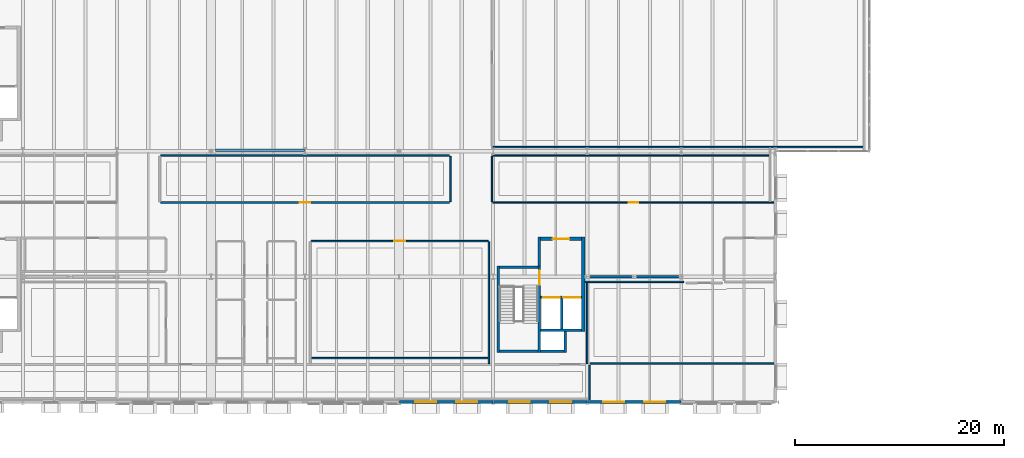
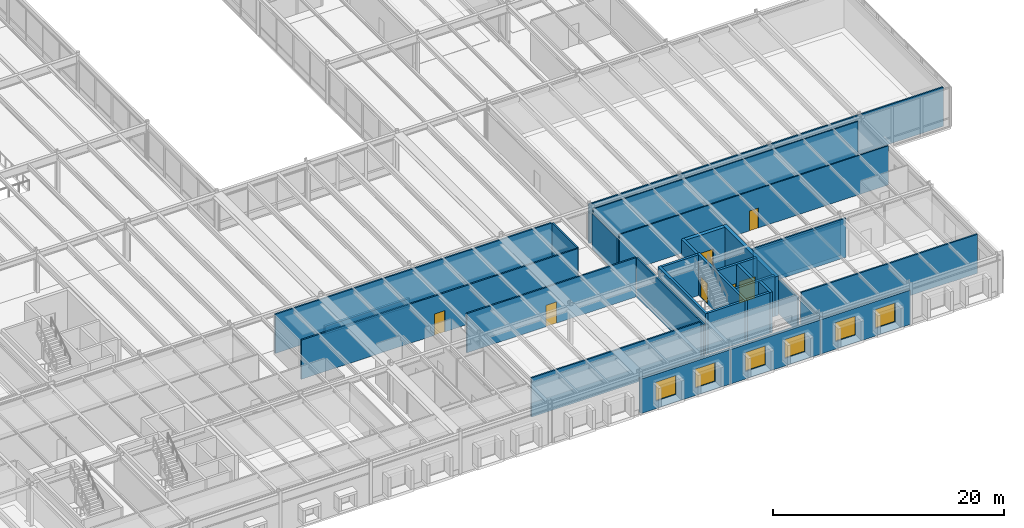
# One storey, part 111 of 127: 31 walls, 7 doors, 6 windows, 13 openings.
"""IFC4 building model written with IfcOpenShell, lengths in metres."""

from ifc_helpers import new_model, si_unit, direction, frame, frame_2d, origin, place, context, subcontext, project, spatial, rectangle, extrude, material, layer, layer_set, type_object, element, fill, save


model = new_model("IFC4")

# Units and contexts
model_context = context("Model", 3, precision=1e-05, world=origin(), true_north=direction((0.0, 1.0)))
body_context = subcontext(model_context, "Body", "Model", "MODEL_VIEW")
ifc_project = project(units=[si_unit("LENGTHUNIT", "METRE"), si_unit("AREAUNIT", "SQUARE_METRE"), si_unit("VOLUMEUNIT", "CUBIC_METRE"), si_unit("PLANEANGLEUNIT", "RADIAN"), si_unit("MASSUNIT", "GRAM", prefix="KILO")], contexts=[model_context])

# Site, building, storey
site_placement = place(None, origin())
site = spatial("IfcSite", under=ifc_project, at=site_placement, CompositionType="ELEMENT")
building_placement = place(site_placement, origin())
building = spatial("IfcBuilding", under=site, at=building_placement, Name="Montelvaro Courts of Justice", CompositionType="ELEMENT")
storey_placement = place(building_placement, frame((0.0, 0.0, 5.39990234375)))
storey = spatial("IfcBuildingStorey", under=building, at=storey_placement, Name="L01", CompositionType="ELEMENT", Elevation=5.39990234375)

# Walls
ifc_material_1 = material(Name="Gypsum board on metal stud")
ifc_layer_1 = layer(ifc_material_1, 0.14990234375)
ifc_layer_set_1 = layer_set([ifc_layer_1], Name="Gypsum board on metal stud")
wall_type_1 = type_object("IfcWallType", Name="ChambersPartition_150", PredefinedType="PARTITIONING", material=ifc_layer_set_1)
wall_1_placement = place(storey_placement, frame((117.199951171875, 3.52001953125, 0.0), z_axis=(0.0, 0.0, 1.0), x_axis=(0.0, -1.0, 0.0)))
element("IfcWall", 1, at=wall_1_placement, inside=storey, type_object=wall_type_1, Name="Interior Partition IW-04 (L01)", PredefinedType="PARTITIONING", context=body_context, shape_type="SweptSolid", body=[
    extrude(rectangle(XDim=3.297119140625, YDim=0.14990234375, at=frame_2d((1.6484375, 0.0))), origin(), (0.0, 0.0, 1.0), 3.68505859375),
])
wall_2_placement = place(storey_placement, frame((143.429931640625, 24.39990234375, 0.0), z_axis=(0.0, 0.0, 1.0), x_axis=(-1.0, 0.0, 0.0)))
element("IfcWall", 2, at=wall_2_placement, inside=storey, type_object=wall_type_1, Name="Interior Partition IW-04 (L01)", PredefinedType="PARTITIONING", context=body_context, shape_type="SweptSolid", body=[
    extrude(rectangle(XDim=35.449951171875, YDim=0.14990234375, at=frame_2d((17.72509765625, 0.0))), origin(), (0.0, 0.0, 1.0), 4.14013671875),
])

# Wall, opening, door
wall_3_placement = place(storey_placement, frame((103.820068359375, 19.10009765625, 0.0), z_axis=(0.0, 0.0, 1.0), x_axis=(-1.0, 0.0, 0.0)))
wall_3 = element("IfcWall", 3, at=wall_3_placement, inside=storey, type_object=wall_type_1, Name="Interior Partition IW-04 (L01)", PredefinedType="PARTITIONING", context=body_context, shape_type="SweptSolid", body=[
    extrude(rectangle(XDim=27.64013671875, YDim=0.14990234375, at=frame_2d((13.820068359375, 0.0))), origin(), (0.0, 0.0, 1.0), 4.14013671875),
])
opening_1_placement = place(wall_3_placement, frame((13.294921875, 0.0, 0.0)))
opening_1 = element("IfcOpeningElement", 4, at=opening_1_placement, cuts=wall_3, Name="Opening D-L01-073", PredefinedType="OPENING", context=body_context, shape_type="SweptSolid", body=[
    extrude(rectangle(XDim=1.050048828125, YDim=2.25, at=frame_2d((0.52490234375, 1.125))), frame((0.0, 0.08984375, 0.0), z_axis=(0.0, -1.0, 0.0), x_axis=(1.0, 0.0, 0.0)), (0.0, 0.0, 1.0), 0.1796875),
])
ifc_material_2 = material(Name="Acoustic oak timber veneer", Category="wood")
door_type_1 = type_object("IfcDoorType", Name="ChamberDoor_105x225", OperationType="NOTDEFINED", PredefinedType="DOOR", material=ifc_material_2)
door_1_placement = place(opening_1_placement, frame((1.050048828125, 0.0, 0.0), z_axis=(0.0, 0.0, 1.0), x_axis=(-1.0, 0.0, 0.0)))
door_1 = element("IfcDoor", 5, at=door_1_placement, inside=storey, type_object=door_type_1, Name="Interior Door D-L01-073 (Judicial Clerks' Office East L01)", OperationType="SINGLE_SWING_RIGHT", OverallHeight=2.25, OverallWidth=1.050048828125, PredefinedType="DOOR", context=body_context, shape_type="SweptSolid", body=[
    extrude(rectangle(XDim=1.050048828125, YDim=2.25, at=frame_2d((0.52490234375, 1.125))), frame((0.0, 0.02490234375, 0.0), z_axis=(0.0, -1.0, 0.0), x_axis=(1.0, 0.0, 0.0)), (0.0, 0.0, 1.0), 0.050048828125),
])
fill(opening_1, door_1)

# Walls
wall_4_placement = place(storey_placement, frame((76.179931640625, 23.60009765625, 0.0), z_axis=(0.0, 0.0, 1.0), x_axis=(1.0, 0.0, 0.0)))
element("IfcWall", 6, at=wall_4_placement, inside=storey, type_object=wall_type_1, Name="Interior Partition IW-04 (L01)", PredefinedType="PARTITIONING", context=body_context, shape_type="SweptSolid", body=[
    extrude(rectangle(XDim=27.64013671875, YDim=0.14990234375, at=frame_2d((13.820068359375, 0.0))), origin(), (0.0, 0.0, 1.0), 4.14013671875),
])
wall_5_placement = place(storey_placement, frame((103.89990234375, 23.52001953125, 0.0), z_axis=(0.0, 0.0, 1.0), x_axis=(0.0, -1.0, 0.0)))
element("IfcWall", 7, at=wall_5_placement, inside=storey, type_object=wall_type_1, Name="Interior Partition IW-04 (L01)", PredefinedType="PARTITIONING", context=body_context, shape_type="SweptSolid", body=[
    extrude(rectangle(XDim=4.340087890625, YDim=0.14990234375, at=frame_2d((2.169921875, 0.0))), origin(), (0.0, 0.0, 1.0), 4.14013671875),
])
wall_6_placement = place(storey_placement, frame((134.85498046875, 3.699951171875, 0.0), z_axis=(0.0, 0.0, 1.0), x_axis=(-1.0, 0.0, 0.0)))
element("IfcWall", 8, at=wall_6_placement, inside=storey, type_object=wall_type_1, Name="Interior Partition IW-04 (L01)", PredefinedType="PARTITIONING", context=body_context, shape_type="SweptSolid", body=[
    extrude(rectangle(XDim=17.574951171875, YDim=0.14990234375, at=frame_2d((8.78759765625, 0.0))), origin(), (0.0, 0.0, 1.0), 4.14013671875),
])
wall_7_placement = place(storey_placement, frame((117.0, 3.669921875, 0.0), z_axis=(0.0, 0.0, 1.0), x_axis=(0.0, 1.0, 0.0)))
element("IfcWall", 9, at=wall_7_placement, inside=storey, type_object=wall_type_1, Name="Interior Partition IW-04 (L01)", PredefinedType="PARTITIONING", context=body_context, shape_type="SweptSolid", body=[
    extrude(rectangle(XDim=7.75, YDim=0.14990234375, at=frame_2d((3.875, 0.0))), origin(), (0.0, 0.0, 1.0), 3.68505859375),
])
wall_8_placement = place(storey_placement, frame((116.794921875, 11.5, 0.0), z_axis=(0.0, 0.0, 1.0), x_axis=(1.0, 0.0, 0.0)))
element("IfcWall", 10, at=wall_8_placement, inside=storey, type_object=wall_type_1, Name="Interior Partition IW-04 (L01)", PredefinedType="PARTITIONING", context=body_context, shape_type="SweptSolid", body=[
    extrude(rectangle(XDim=9.425048828125, YDim=0.14990234375, at=frame_2d((4.71240234375, 0.0))), origin(), (0.0, 0.0, 1.0), 4.14013671875),
])
wall_9_placement = place(storey_placement, frame((107.60009765625, 15.320068359375, 0.0), z_axis=(0.0, 0.0, 1.0), x_axis=(0.0, -1.0, 0.0)))
element("IfcWall", 11, at=wall_9_placement, inside=storey, type_object=wall_type_1, Name="Interior Partition IW-04 (L01)", PredefinedType="PARTITIONING", context=body_context, shape_type="SweptSolid", body=[
    extrude(rectangle(XDim=11.650146484375, YDim=0.14990234375, at=frame_2d((5.8251953125, 0.0))), origin(), (0.0, 0.0, 1.0), 4.14013671875),
])
wall_10_placement = place(storey_placement, frame((107.530029296875, 4.199951171875, 0.0), z_axis=(0.0, 0.0, 1.0), x_axis=(-1.0, 0.0, 0.0)))
element("IfcWall", 12, at=wall_10_placement, inside=storey, type_object=wall_type_1, Name="Interior Partition IW-04 (L01)", PredefinedType="PARTITIONING", context=body_context, shape_type="SweptSolid", body=[
    extrude(rectangle(XDim=16.949951171875, YDim=0.14990234375, at=frame_2d((8.47509765625, 0.0))), origin(), (0.0, 0.0, 1.0), 4.14013671875),
])

# Wall, opening, door
wall_11_placement = place(storey_placement, frame((90.580078125, 15.39990234375, 0.0), z_axis=(0.0, 0.0, 1.0), x_axis=(1.0, 0.0, 0.0)))
wall_11 = element("IfcWall", 13, at=wall_11_placement, inside=storey, type_object=wall_type_1, Name="Interior Partition IW-04 (L01)", PredefinedType="PARTITIONING", context=body_context, shape_type="SweptSolid", body=[
    extrude(rectangle(XDim=16.93994140625, YDim=0.14990234375, at=frame_2d((8.469970703125, 0.0))), origin(), (0.0, 0.0, 1.0), 4.14013671875),
])
opening_2_placement = place(wall_11_placement, frame((7.945068359375, 0.0, 0.0)))
opening_2 = element("IfcOpeningElement", 14, at=opening_2_placement, cuts=wall_11, Name="Opening D-L01-081", PredefinedType="OPENING", context=body_context, shape_type="SweptSolid", body=[
    extrude(rectangle(XDim=1.050048828125, YDim=2.25, at=frame_2d((0.52490234375, 1.125))), frame((0.0, 0.08984375, 0.0), z_axis=(0.0, -1.0, 0.0), x_axis=(1.0, 0.0, 0.0)), (0.0, 0.0, 1.0), 0.1796875),
])
door_2_placement = place(opening_2_placement, frame((1.050048828125, 0.0, 0.0), z_axis=(0.0, 0.0, 1.0), x_axis=(-1.0, 0.0, 0.0)))
door_2 = element("IfcDoor", 15, at=door_2_placement, inside=storey, type_object=door_type_1, Name="Interior Door D-L01-081 (Judicial Conference Suite L01)", OperationType="SINGLE_SWING_RIGHT", OverallHeight=2.25, OverallWidth=1.050048828125, PredefinedType="DOOR", context=body_context, shape_type="SweptSolid", body=[
    extrude(rectangle(XDim=1.050048828125, YDim=2.25, at=frame_2d((0.52490234375, 1.125))), frame((0.0, 0.02490234375, 0.0), z_axis=(0.0, -1.0, 0.0), x_axis=(1.0, 0.0, 0.0)), (0.0, 0.0, 1.0), 0.050048828125),
])
fill(opening_2, door_2)

ifc_material_3 = material(Name="Concrete C40/50", Category="concrete")
ifc_layer_2 = layer(ifc_material_3, 0.360107421875)
ifc_layer_set_2 = layer_set([ifc_layer_2], Name="Concrete C40/50")
wall_type_2 = type_object("IfcWallType", Name="CoreWall_360", PredefinedType="SHEAR", material=ifc_layer_set_2)
wall_12_placement = place(storey_placement, frame((112.5400390625, 15.6201171875, 0.0), z_axis=(0.0, 0.0, 1.0), x_axis=(1.0, 0.0, 0.0)))
wall_12 = element("IfcWall", 16, at=wall_12_placement, inside=storey, type_object=wall_type_2, Name="Core Shear Wall CW-01 K2-N (L01)", PredefinedType="SHEAR", context=body_context, shape_type="SweptSolid", body=[
    extrude(rectangle(XDim=3.89990234375, YDim=0.360107421875, at=frame_2d((1.949951171875, 0.0))), origin(), (0.0, 0.0, 1.0), 4.16015625),
])
opening_3_placement = place(wall_12_placement, frame((1.14990234375, 0.0, 0.0)))
opening_3 = element("IfcOpeningElement", 17, at=opening_3_placement, cuts=wall_12, Name="Opening DL-L01-K2", PredefinedType="OPENING", context=body_context, shape_type="SweptSolid", body=[
    extrude(rectangle(XDim=1.60009765625, YDim=2.25, at=frame_2d((0.800048828125, 1.125))), frame((0.0, 0.19482421875, 0.0), z_axis=(0.0, -1.0, 0.0), x_axis=(1.0, 0.0, 0.0)), (0.0, 0.0, 1.0), 0.389892578125),
])
ifc_material_4 = material(Name="Galvanised steel S355 security door", Category="steel")
door_type_2 = type_object("IfcDoorType", Name="LobbyFireDoor_160x225", OperationType="DOUBLE_DOOR_SINGLE_SWING", PredefinedType="DOOR", material=ifc_material_4)
door_3_placement = place(opening_3_placement, origin())
door_3 = element("IfcDoor", 18, at=door_3_placement, inside=storey, type_object=door_type_2, Name="Core Lobby Fire Door DL-L01-K2", OperationType="DOUBLE_DOOR_SINGLE_SWING", OverallHeight=2.25, OverallWidth=1.60009765625, PredefinedType="DOOR", context=body_context, shape_type="SweptSolid", body=[
    extrude(rectangle(XDim=1.60009765625, YDim=2.25, at=frame_2d((0.800048828125, 1.125))), frame((0.0, 0.02490234375, 0.0), z_axis=(0.0, -1.0, 0.0), x_axis=(1.0, 0.0, 0.0)), (0.0, 0.0, 1.0), 0.050048828125),
])
fill(opening_3, door_3)

# Wall
wall_13_placement = place(storey_placement, frame((116.6201171875, 6.760009765625, 0.0), z_axis=(0.0, 0.0, 1.0), x_axis=(0.0, 1.0, 0.0)))
element("IfcWall", 19, at=wall_13_placement, inside=storey, type_object=wall_type_2, Name="Core Shear Wall CW-01 K2-E (L01)", PredefinedType="SHEAR", context=body_context, shape_type="SweptSolid", body=[
    extrude(rectangle(XDim=9.0400390625, YDim=0.360107421875, at=frame_2d((4.52001953125, 0.0))), origin(), (0.0, 0.0, 1.0), 4.16015625),
])

# Wall, openings, windows
ifc_material_5 = material(Name="White mineral precast concrete C45/55", Category="concrete")
ifc_layer_3 = layer(ifc_material_5, 0.300048828125)
ifc_layer_set_3 = layer_set([ifc_layer_3], Name="White mineral precast concrete C45/55")
wall_type_3 = type_object("IfcWallType", Name="ExtWall_GFRC_300", PredefinedType="SOLIDWALL", material=ifc_layer_set_3)
wall_14_placement = place(storey_placement, frame((99.05810546875, 0.0, 0.0), z_axis=(0.0, 0.0, 1.0), x_axis=(1.0, 0.0, 0.0)))
wall_14 = element("IfcWall", 20, at=wall_14_placement, inside=storey, type_object=wall_type_3, Name="Exterior Facade Wall EW-02 (L01)", PredefinedType="SOLIDWALL", context=body_context, shape_type="SweptSolid", body=[
    extrude(rectangle(XDim=8.933837890625, YDim=0.300048828125, at=frame_2d((4.466796875, 0.0))), origin(), (0.0, 0.0, 1.0), 3.635009765625),
])
opening_4_placement = place(wall_14_placement, frame((1.501953125, 0.0, 0.800048828125)))
opening_4 = element("IfcOpeningElement", 21, at=opening_4_placement, cuts=wall_14, Name="Opening WE-11", PredefinedType="OPENING", context=body_context, shape_type="SweptSolid", body=[
    extrude(rectangle(XDim=2.0, YDim=2.0, at=frame_2d((1.0, 1.0))), frame((0.0, 0.1650390625, 0.0), z_axis=(0.0, -1.0, 0.0), x_axis=(1.0, 0.0, 0.0)), (0.0, 0.0, 1.0), 0.329833984375),
])
opening_5_placement = place(wall_14_placement, frame((5.431884765625, 0.0, 0.800048828125)))
opening_5 = element("IfcOpeningElement", 22, at=opening_5_placement, cuts=wall_14, Name="Opening WE-11", PredefinedType="OPENING", context=body_context, shape_type="SweptSolid", body=[
    extrude(rectangle(XDim=2.0, YDim=2.0, at=frame_2d((1.0, 1.0))), frame((0.0, 0.1650390625, 0.0), z_axis=(0.0, -1.0, 0.0), x_axis=(1.0, 0.0, 0.0)), (0.0, 0.0, 1.0), 0.329833984375),
])
ifc_material_6 = material(Name="Low-E solar control double glazing", Category="glass")
window_type = type_object("IfcWindowType", Name="Win_Sq_200x200", PartitioningType="SINGLE_PANEL", PredefinedType="WINDOW", material=ifc_material_6)
window_1_placement = place(opening_4_placement, origin())
window_1 = element("IfcWindow", 23, at=window_1_placement, inside=storey, type_object=window_type, Name="Window W-L01-066", OverallHeight=2.0, OverallWidth=2.0, PartitioningType="SINGLE_PANEL", PredefinedType="WINDOW", context=body_context, shape_type="SweptSolid", body=[
    extrude(rectangle(XDim=2.0, YDim=2.0, at=frame_2d((1.0, 1.0))), frame((0.0, 0.030029296875, 0.0), z_axis=(0.0, -1.0, 0.0), x_axis=(1.0, 0.0, 0.0)), (0.0, 0.0, 1.0), 0.06005859375),
])
fill(opening_4, window_1)
window_2_placement = place(opening_5_placement, origin())
window_2 = element("IfcWindow", 24, at=window_2_placement, inside=storey, type_object=window_type, Name="Window W-L01-067", OverallHeight=2.0, OverallWidth=2.0, PartitioningType="SINGLE_PANEL", PredefinedType="WINDOW", context=body_context, shape_type="SweptSolid", body=[
    extrude(rectangle(XDim=2.0, YDim=2.0, at=frame_2d((1.0, 1.0))), frame((0.0, 0.030029296875, 0.0), z_axis=(0.0, -1.0, 0.0), x_axis=(1.0, 0.0, 0.0)), (0.0, 0.0, 1.0), 0.06005859375),
])
fill(opening_5, window_2)

wall_15_placement = place(storey_placement, frame((108.008056640625, 0.0, 0.0), z_axis=(0.0, 0.0, 1.0), x_axis=(1.0, 0.0, 0.0)))
wall_15 = element("IfcWall", 25, at=wall_15_placement, inside=storey, type_object=wall_type_3, Name="Exterior Facade Wall EW-02 (L01)", PredefinedType="SOLIDWALL", context=body_context, shape_type="SweptSolid", body=[
    extrude(rectangle(XDim=8.98388671875, YDim=0.300048828125, at=frame_2d((4.491943359375, 0.0))), origin(), (0.0, 0.0, 1.0), 3.635009765625),
])
opening_6_placement = place(wall_15_placement, frame((1.51611328125, 0.0, 0.800048828125)))
opening_6 = element("IfcOpeningElement", 26, at=opening_6_placement, cuts=wall_15, Name="Opening WE-11", PredefinedType="OPENING", context=body_context, shape_type="SweptSolid", body=[
    extrude(rectangle(XDim=2.0, YDim=2.0, at=frame_2d((1.0, 1.0))), frame((0.0, 0.1650390625, 0.0), z_axis=(0.0, -1.0, 0.0), x_axis=(1.0, 0.0, 0.0)), (0.0, 0.0, 1.0), 0.329833984375),
])
opening_7_placement = place(wall_15_placement, frame((5.468017578125, 0.0, 0.800048828125)))
opening_7 = element("IfcOpeningElement", 27, at=opening_7_placement, cuts=wall_15, Name="Opening WE-11", PredefinedType="OPENING", context=body_context, shape_type="SweptSolid", body=[
    extrude(rectangle(XDim=2.0, YDim=2.0, at=frame_2d((1.0, 1.0))), frame((0.0, 0.1650390625, 0.0), z_axis=(0.0, -1.0, 0.0), x_axis=(1.0, 0.0, 0.0)), (0.0, 0.0, 1.0), 0.329833984375),
])
window_3_placement = place(opening_6_placement, origin())
window_3 = element("IfcWindow", 28, at=window_3_placement, inside=storey, type_object=window_type, Name="Window W-L01-068", OverallHeight=2.0, OverallWidth=2.0, PartitioningType="SINGLE_PANEL", PredefinedType="WINDOW", context=body_context, shape_type="SweptSolid", body=[
    extrude(rectangle(XDim=2.0, YDim=2.0, at=frame_2d((1.0, 1.0))), frame((0.0, 0.030029296875, 0.0), z_axis=(0.0, -1.0, 0.0), x_axis=(1.0, 0.0, 0.0)), (0.0, 0.0, 1.0), 0.06005859375),
])
fill(opening_6, window_3)
window_4_placement = place(opening_7_placement, origin())
window_4 = element("IfcWindow", 29, at=window_4_placement, inside=storey, type_object=window_type, Name="Window W-L01-069", OverallHeight=2.0, OverallWidth=2.0, PartitioningType="SINGLE_PANEL", PredefinedType="WINDOW", context=body_context, shape_type="SweptSolid", body=[
    extrude(rectangle(XDim=2.0, YDim=2.0, at=frame_2d((1.0, 1.0))), frame((0.0, 0.030029296875, 0.0), z_axis=(0.0, -1.0, 0.0), x_axis=(1.0, 0.0, 0.0)), (0.0, 0.0, 1.0), 0.06005859375),
])
fill(opening_7, window_4)

wall_16_placement = place(storey_placement, frame((117.008056640625, 0.0, 0.0), z_axis=(0.0, 0.0, 1.0), x_axis=(1.0, 0.0, 0.0)))
wall_16 = element("IfcWall", 30, at=wall_16_placement, inside=storey, type_object=wall_type_3, Name="Exterior Facade Wall EW-02 (L01)", PredefinedType="SOLIDWALL", context=body_context, shape_type="SweptSolid", body=[
    extrude(rectangle(XDim=8.98388671875, YDim=0.300048828125, at=frame_2d((4.491943359375, 0.0))), origin(), (0.0, 0.0, 1.0), 3.635009765625),
])
opening_8_placement = place(wall_16_placement, frame((1.51611328125, 0.0, 0.800048828125)))
opening_8 = element("IfcOpeningElement", 31, at=opening_8_placement, cuts=wall_16, Name="Opening WE-11", PredefinedType="OPENING", context=body_context, shape_type="SweptSolid", body=[
    extrude(rectangle(XDim=2.0, YDim=2.0, at=frame_2d((1.0, 1.0))), frame((0.0, 0.1650390625, 0.0), z_axis=(0.0, -1.0, 0.0), x_axis=(1.0, 0.0, 0.0)), (0.0, 0.0, 1.0), 0.329833984375),
])
opening_9_placement = place(wall_16_placement, frame((5.468017578125, 0.0, 0.800048828125)))
opening_9 = element("IfcOpeningElement", 32, at=opening_9_placement, cuts=wall_16, Name="Opening WE-11", PredefinedType="OPENING", context=body_context, shape_type="SweptSolid", body=[
    extrude(rectangle(XDim=2.0, YDim=2.0, at=frame_2d((1.0, 1.0))), frame((0.0, 0.1650390625, 0.0), z_axis=(0.0, -1.0, 0.0), x_axis=(1.0, 0.0, 0.0)), (0.0, 0.0, 1.0), 0.329833984375),
])
window_5_placement = place(opening_8_placement, origin())
window_5 = element("IfcWindow", 33, at=window_5_placement, inside=storey, type_object=window_type, Name="Window W-L01-070", OverallHeight=2.0, OverallWidth=2.0, PartitioningType="SINGLE_PANEL", PredefinedType="WINDOW", context=body_context, shape_type="SweptSolid", body=[
    extrude(rectangle(XDim=2.0, YDim=2.0, at=frame_2d((1.0, 1.0))), frame((0.0, 0.030029296875, 0.0), z_axis=(0.0, -1.0, 0.0), x_axis=(1.0, 0.0, 0.0)), (0.0, 0.0, 1.0), 0.06005859375),
])
fill(opening_8, window_5)
window_6_placement = place(opening_9_placement, origin())
window_6 = element("IfcWindow", 34, at=window_6_placement, inside=storey, type_object=window_type, Name="Window W-L01-071", OverallHeight=2.0, OverallWidth=2.0, PartitioningType="SINGLE_PANEL", PredefinedType="WINDOW", context=body_context, shape_type="SweptSolid", body=[
    extrude(rectangle(XDim=2.0, YDim=2.0, at=frame_2d((1.0, 1.0))), frame((0.0, 0.030029296875, 0.0), z_axis=(0.0, -1.0, 0.0), x_axis=(1.0, 0.0, 0.0)), (0.0, 0.0, 1.0), 0.06005859375),
])
fill(opening_9, window_6)

# Wall, opening, door
ifc_layer_4 = layer(ifc_material_1, 0.1201171875)
ifc_layer_set_4 = layer_set([ifc_layer_4], Name="Gypsum board on metal stud")
wall_type_4 = type_object("IfcWallType", Name="OfficePartition_120", PredefinedType="PARTITIONING", material=ifc_layer_set_4)
wall_17_placement = place(storey_placement, frame((134.85498046875, 19.10009765625, 0.0), z_axis=(0.0, 0.0, 1.0), x_axis=(-1.0, 0.0, 0.0)))
wall_17 = element("IfcWall", 35, at=wall_17_placement, inside=storey, type_object=wall_type_4, Name="Interior Partition IW-05 (L01)", PredefinedType="PARTITIONING", context=body_context, shape_type="SweptSolid", body=[
    extrude(rectangle(XDim=26.875, YDim=0.1201171875, at=frame_2d((13.4375, 0.0))), origin(), (0.0, 0.0, 1.0), 4.14013671875),
])
opening_10_placement = place(wall_17_placement, frame((12.988037109375, 0.0, 0.0)))
opening_10 = element("IfcOpeningElement", 36, at=opening_10_placement, cuts=wall_17, Name="Opening D-L01-074", PredefinedType="OPENING", context=body_context, shape_type="SweptSolid", body=[
    extrude(rectangle(XDim=0.89990234375, YDim=2.10009765625, at=frame_2d((0.449951171875, 1.050048828125))), frame((0.0, 0.074951171875, 0.0), z_axis=(0.0, -1.0, 0.0), x_axis=(1.0, 0.0, 0.0)), (0.0, 0.0, 1.0), 0.14990234375),
])
door_type_3 = type_object("IfcDoorType", Name="OfficeDoor_090x210", OperationType="NOTDEFINED", PredefinedType="DOOR", material=ifc_material_2)
door_4_placement = place(opening_10_placement, origin())
door_4 = element("IfcDoor", 37, at=door_4_placement, inside=storey, type_object=door_type_3, Name="Interior Door D-L01-074 (Case Scheduling Registry L01)", OperationType="SINGLE_SWING_LEFT", OverallHeight=2.10009765625, OverallWidth=0.89990234375, PredefinedType="DOOR", context=body_context, shape_type="SweptSolid", body=[
    extrude(rectangle(XDim=0.89990234375, YDim=2.10009765625, at=frame_2d((0.449951171875, 1.050048828125))), frame((0.0, 0.02490234375, 0.0), z_axis=(0.0, -1.0, 0.0), x_axis=(1.0, 0.0, 0.0)), (0.0, 0.0, 1.0), 0.050048828125),
])
fill(opening_10, door_4)

# Walls
wall_18_placement = place(storey_placement, frame((107.89990234375, 19.179931640625, 0.0), z_axis=(0.0, 0.0, 1.0), x_axis=(0.0, 1.0, 0.0)))
element("IfcWall", 38, at=wall_18_placement, inside=storey, type_object=wall_type_4, Name="Interior Partition IW-05 (L01)", PredefinedType="PARTITIONING", context=body_context, shape_type="SweptSolid", body=[
    extrude(rectangle(XDim=4.340087890625, YDim=0.1201171875, at=frame_2d((2.169921875, 0.0))), origin(), (0.0, 0.0, 1.0), 3.735107421875),
])
wall_19_placement = place(storey_placement, frame((107.97998046875, 23.60009765625, 0.0), z_axis=(0.0, 0.0, 1.0), x_axis=(1.0, 0.0, 0.0)))
element("IfcWall", 39, at=wall_19_placement, inside=storey, type_object=wall_type_4, Name="Interior Partition IW-05 (L01)", PredefinedType="PARTITIONING", context=body_context, shape_type="SweptSolid", body=[
    extrude(rectangle(XDim=26.465087890625, YDim=0.1201171875, at=frame_2d((13.232421875, 0.0))), origin(), (0.0, 0.0, 1.0), 4.14013671875),
])
ifc_layer_5 = layer(ifc_material_5, 0.239990234375)
ifc_layer_set_5 = layer_set([ifc_layer_5], Name="White mineral precast concrete C45/55")
wall_type_5 = type_object("IfcWallType", Name="ParapetWall_240", PredefinedType="PARAPET", material=ifc_layer_set_5)
wall_20_placement = place(storey_placement, frame((81.419921875, 24.1201171875, -0.099853515625), z_axis=(0.0, 0.0, 1.0), x_axis=(1.0, 0.0, 0.0)))
element("IfcWall", 40, at=wall_20_placement, inside=storey, type_object=wall_type_5, Name="Roof Parapet PW-01 L01-075", PredefinedType="PARAPET", context=body_context, shape_type="SweptSolid", body=[
    extrude(rectangle(XDim=8.52001953125, YDim=0.239990234375, at=frame_2d((4.260009765625, 0.0))), origin(), (0.0, 0.0, 1.0), 0.849853515625),
])
ifc_material_7 = material(Name="Concrete C35/45", Category="concrete")
ifc_layer_6 = layer(ifc_material_7, 0.239990234375)
ifc_layer_set_6 = layer_set([ifc_layer_6], Name="Concrete C35/45")
wall_type_6 = type_object("IfcWallType", Name="ShaftWall_240", PredefinedType="SHEAR", material=ifc_layer_set_6)
wall_21_placement = place(storey_placement, frame((108.47998046875, 4.760009765625, 0.0), z_axis=(0.0, 0.0, 1.0), x_axis=(0.0, 1.0, 0.0)))
element("IfcWall", 41, at=wall_21_placement, inside=storey, type_object=wall_type_6, Name="Protected Stair Structural Wall ST-K2-W (L01)", PredefinedType="SHEAR", context=body_context, shape_type="SweptSolid", body=[
    extrude(rectangle(XDim=8.280029296875, YDim=0.239990234375, at=frame_2d((4.14013671875, 0.0))), origin(), (0.0, 0.0, 1.0), 4.31005859375),
])

# Wall, opening, door
wall_22_placement = place(storey_placement, frame((112.419921875, 4.760009765625, 0.0), z_axis=(0.0, 0.0, 1.0), x_axis=(0.0, 1.0, 0.0)))
wall_22 = element("IfcWall", 42, at=wall_22_placement, inside=storey, type_object=wall_type_6, Name="Protected Stair Structural Wall ST-K2-E (L01)", PredefinedType="SHEAR", context=body_context, shape_type="SweptSolid", body=[
    extrude(rectangle(XDim=8.280029296875, YDim=0.239990234375, at=frame_2d((4.14013671875, 0.0))), origin(), (0.0, 0.0, 1.0), 4.31005859375),
])
opening_11_placement = place(wall_22_placement, frame((6.489990234375, 0.0, 0.0)))
opening_11 = element("IfcOpeningElement", 43, at=opening_11_placement, cuts=wall_22, Name="Opening DS-L01-K2", PredefinedType="OPENING", context=body_context, shape_type="SweptSolid", body=[
    extrude(rectangle(XDim=1.300048828125, YDim=2.199951171875, at=frame_2d((0.64990234375, 1.10009765625))), frame((0.0, 0.134765625, 0.0), z_axis=(0.0, -1.0, 0.0), x_axis=(1.0, 0.0, 0.0)), (0.0, 0.0, 1.0), 0.269775390625),
])
door_type_4 = type_object("IfcDoorType", Name="StairFireDoor_130x220", OperationType="NOTDEFINED", PredefinedType="DOOR", material=ifc_material_4)
door_5_placement = place(opening_11_placement, frame((1.300048828125, 0.0, 0.0), z_axis=(0.0, 0.0, 1.0), x_axis=(-1.0, 0.0, 0.0)))
door_5 = element("IfcDoor", 44, at=door_5_placement, inside=storey, type_object=door_type_4, Name="Protected Stair Fire Door DS-L01-K2", OperationType="SINGLE_SWING_LEFT", OverallHeight=2.199951171875, OverallWidth=1.300048828125, PredefinedType="DOOR", context=body_context, shape_type="SweptSolid", body=[
    extrude(rectangle(XDim=1.300048828125, YDim=2.199951171875, at=frame_2d((0.64990234375, 1.10009765625))), frame((0.0, 0.02490234375, 0.0), z_axis=(0.0, -1.0, 0.0), x_axis=(1.0, 0.0, 0.0)), (0.0, 0.0, 1.0), 0.050048828125),
])
fill(opening_11, door_5)

# Walls
for number, where, z_axis, x_axis, name in (
    (45, (108.60009765625, 4.8798828125, 0.0), (0.0, 0.0, 1.0), (1.0, 0.0, 0.0), "Protected Stair Structural Wall ST-K2-S (L01)"),
    (46, (108.60009765625, 12.919921875, 0.0), (0.0, 0.0, 1.0), (1.0, 0.0, 0.0), "Protected Stair Structural Wall ST-K2-N (L01)"),
):
    element("IfcWall", number, at=place(storey_placement, frame(where, z_axis=z_axis, x_axis=x_axis)), inside=storey, type_object=wall_type_6, Name=name, PredefinedType="SHEAR", context=body_context, shape_type="SweptSolid", body=[
        extrude(rectangle(XDim=3.699951171875, YDim=0.239990234375, at=frame_2d((1.85009765625, 0.0))), origin(), (0.0, 0.0, 1.0), 4.31005859375),
    ])
wall_23_placement = place(storey_placement, frame((112.419921875, 13.0400390625, 0.0), z_axis=(0.0, 0.0, 1.0), x_axis=(0.0, 1.0, 0.0)))
element("IfcWall", 47, at=wall_23_placement, inside=storey, type_object=wall_type_6, Name="Core Lobby Structural Wall K2-W (L01)", PredefinedType="SHEAR", context=body_context, shape_type="SweptSolid", body=[
    extrude(rectangle(XDim=2.760009765625, YDim=0.239990234375, at=frame_2d((1.3798828125, 0.0))), origin(), (0.0, 0.0, 1.0), 4.16015625),
])

# Wall, openings, doors
wall_24_placement = place(storey_placement, frame((112.5400390625, 10.02001953125, 0.0), z_axis=(0.0, 0.0, 1.0), x_axis=(1.0, 0.0, 0.0)))
wall_24 = element("IfcWall", 48, at=wall_24_placement, inside=storey, type_object=wall_type_6, Name="Lift Shaft Bank Wall K2 (L01)", PredefinedType="SHEAR", context=body_context, shape_type="SweptSolid", body=[
    extrude(rectangle(XDim=3.89990234375, YDim=0.239990234375, at=frame_2d((1.949951171875, 0.0))), origin(), (0.0, 0.0, 1.0), 4.31005859375),
])
opening_12_placement = place(wall_24_placement, frame((0.235107421875, 0.0, 0.0)))
opening_12 = element("IfcOpeningElement", 49, at=opening_12_placement, cuts=wall_24, Name="Opening LD-LF-02-L01", PredefinedType="OPENING", context=body_context, shape_type="SweptSolid", body=[
    extrude(rectangle(XDim=1.60009765625, YDim=2.300048828125, at=frame_2d((0.800048828125, 1.14990234375))), frame((0.0, 0.134765625, 0.0), z_axis=(0.0, -1.0, 0.0), x_axis=(1.0, 0.0, 0.0)), (0.0, 0.0, 1.0), 0.269775390625),
])
opening_13_placement = place(wall_24_placement, frame((2.18505859375, 0.0, 0.0)))
opening_13 = element("IfcOpeningElement", 50, at=opening_13_placement, cuts=wall_24, Name="Opening LD-LJ-02-L01", PredefinedType="OPENING", context=body_context, shape_type="SweptSolid", body=[
    extrude(rectangle(XDim=1.60009765625, YDim=2.300048828125, at=frame_2d((0.800048828125, 1.14990234375))), frame((0.0, 0.134765625, 0.0), z_axis=(0.0, -1.0, 0.0), x_axis=(1.0, 0.0, 0.0)), (0.0, 0.0, 1.0), 0.269775390625),
])
door_type_5 = type_object("IfcDoorType", Name="LiftDoor_160x230", OperationType="DOUBLE_DOOR_SLIDING", PredefinedType="DOOR", material=ifc_material_4)
door_6_placement = place(opening_12_placement, origin())
door_6 = element("IfcDoor", 51, at=door_6_placement, inside=storey, type_object=door_type_5, Name="Lift Landing Sliding Door LD-LF-02-L01", OperationType="DOUBLE_DOOR_SLIDING", OverallHeight=2.300048828125, OverallWidth=1.60009765625, PredefinedType="DOOR", context=body_context, shape_type="SweptSolid", body=[
    extrude(rectangle(XDim=1.60009765625, YDim=2.300048828125, at=frame_2d((0.800048828125, 1.14990234375))), frame((0.0, 0.02490234375, 0.0), z_axis=(0.0, -1.0, 0.0), x_axis=(1.0, 0.0, 0.0)), (0.0, 0.0, 1.0), 0.050048828125),
])
fill(opening_12, door_6)
door_7_placement = place(opening_13_placement, origin())
door_7 = element("IfcDoor", 52, at=door_7_placement, inside=storey, type_object=door_type_5, Name="Lift Landing Sliding Door LD-LJ-02-L01", OperationType="DOUBLE_DOOR_SLIDING", OverallHeight=2.300048828125, OverallWidth=1.60009765625, PredefinedType="DOOR", context=body_context, shape_type="SweptSolid", body=[
    extrude(rectangle(XDim=1.60009765625, YDim=2.300048828125, at=frame_2d((0.800048828125, 1.14990234375))), frame((0.0, 0.02490234375, 0.0), z_axis=(0.0, -1.0, 0.0), x_axis=(1.0, 0.0, 0.0)), (0.0, 0.0, 1.0), 0.050048828125),
])
fill(opening_13, door_7)

# Walls
wall_25_placement = place(storey_placement, frame((112.5400390625, 6.8798828125, 0.0), z_axis=(0.0, 0.0, 1.0), x_axis=(1.0, 0.0, 0.0)))
element("IfcWall", 53, at=wall_25_placement, inside=storey, type_object=wall_type_6, Name="Lift Shaft Back Wall K2 (L01)", PredefinedType="SHEAR", context=body_context, shape_type="SweptSolid", body=[
    extrude(rectangle(XDim=3.89990234375, YDim=0.239990234375, at=frame_2d((1.949951171875, 0.0))), origin(), (0.0, 0.0, 1.0), 4.31005859375),
])
wall_26_placement = place(storey_placement, frame((114.550048828125, 7.0, 0.0), z_axis=(0.0, 0.0, 1.0), x_axis=(0.0, 1.0, 0.0)))
element("IfcWall", 54, at=wall_26_placement, inside=storey, type_object=wall_type_6, Name="Lift Shaft Divider Wall K2-LFD1 (L01)", PredefinedType="SHEAR", context=body_context, shape_type="SweptSolid", body=[
    extrude(rectangle(XDim=2.89990234375, YDim=0.239990234375, at=frame_2d((1.449951171875, 0.0))), origin(), (0.0, 0.0, 1.0), 4.31005859375),
])
wall_27_placement = place(storey_placement, frame((114.919921875, 4.760009765625, 0.0), z_axis=(0.0, 0.0, 1.0), x_axis=(0.0, 1.0, 0.0)))
element("IfcWall", 55, at=wall_27_placement, inside=storey, type_object=wall_type_6, Name="Service Riser East Shaft Wall K2 (L01)", PredefinedType="SHEAR", context=body_context, shape_type="SweptSolid", body=[
    extrude(rectangle(XDim=2.0, YDim=0.239990234375, at=frame_2d((1.0, 0.0))), origin(), (0.0, 0.0, 1.0), 4.31005859375),
])
wall_28_placement = place(storey_placement, frame((112.5400390625, 4.8798828125, 0.0), z_axis=(0.0, 0.0, 1.0), x_axis=(1.0, 0.0, 0.0)))
element("IfcWall", 56, at=wall_28_placement, inside=storey, type_object=wall_type_6, Name="Service Riser South Shaft Wall K2 (L01)", PredefinedType="SHEAR", context=body_context, shape_type="SweptSolid", body=[
    extrude(rectangle(XDim=2.260009765625, YDim=0.239990234375, at=frame_2d((1.1298828125, 0.0))), origin(), (0.0, 0.0, 1.0), 4.31005859375),
])
wall_29_placement = place(storey_placement, frame((117.248046875, 12.0, 0.0), z_axis=(0.0, 0.0, 1.0), x_axis=(1.0, 0.0, 0.0)))
element("IfcWall", 57, at=wall_29_placement, inside=storey, type_object=wall_type_6, Name="Enclosed Braced Frame Structural Wall CBF2 (L01)", PredefinedType="SHEAR", context=body_context, shape_type="SweptSolid", body=[
    extrude(rectangle(XDim=8.743896484375, YDim=0.239990234375, at=frame_2d((4.3720703125, 0.0))), origin(), (0.0, 0.0, 1.0), 3.585205078125),
])

save(model, "model.ifc")
